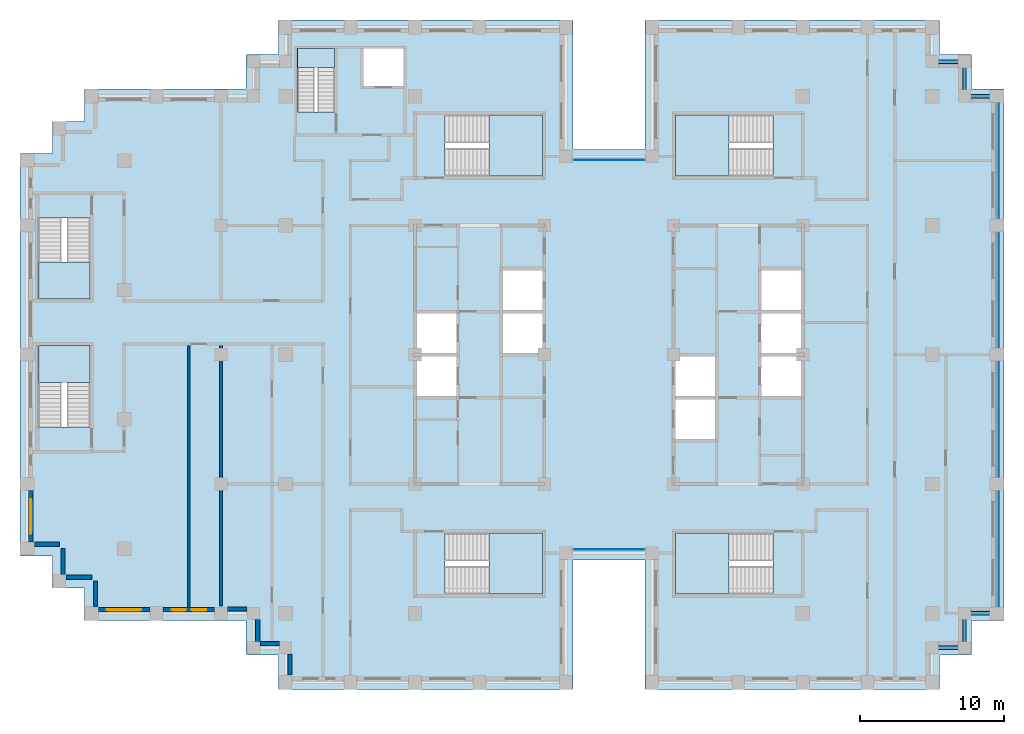
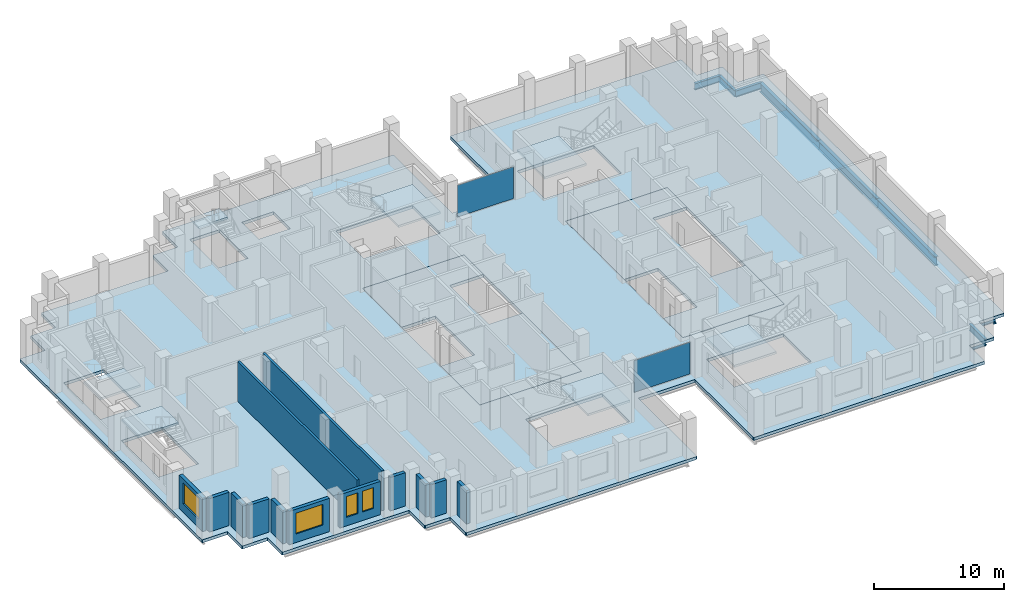
# One storey, part 5 of 15: 13 walls, 10 beams, 10 slabs, 4 windows, 2 plates, 4 openings, 9 elements without a shape of their own.
"""IFC4 building model written with IfcOpenShell, lengths in metres."""

import ifcopenshell
import ifcopenshell.guid

model = None  # the IFC model being written
_history = None  # IfcOwnerHistory: only IFC2X3 demands one
_inside = {}  # id of a spatial element -> (the spatial element, [elements in it])
_under = {}  # id of a project, library or spatial element -> (it, [spatial elements below it])
_declared = {}  # id of a project -> (the project, [libraries it declares])
_typed = {}  # id of a type object -> (the type object, [elements of that type])
_made_of = {}  # id of a material, layer set ... -> (it, [elements and type objects made of it])


def new_model(schema):
    """Start an empty IFC model of exactly this schema.

    Asked for "IFC4X3", IfcOpenShell would pick the latest addendum, in which some entities
    have other attributes; the version numbers below select the first issue.
    IFC2X3 requires an IfcOwnerHistory on every rooted entity: one is made here for all.
    """
    global model, _history
    if schema == "IFC4X3":
        model = ifcopenshell.file(schema_version=(4, 3, 0, 0))
    else:
        model = ifcopenshell.file(schema=schema)
    _inside.clear()
    _under.clear()
    _declared.clear()
    _typed.clear()
    _made_of.clear()
    _history = None
    if model.schema == "IFC2X3":
        org = make("IfcOrganization", Name="unknown")
        user = make(
            "IfcPersonAndOrganization",
            ThePerson=make("IfcPerson", FamilyName="unknown"),
            TheOrganization=org,
        )
        app = make(
            "IfcApplication",
            ApplicationDeveloper=org,
            Version="unknown",
            ApplicationFullName="unknown",
            ApplicationIdentifier="unknown",
        )
        _history = make(
            "IfcOwnerHistory",
            OwningUser=user,
            OwningApplication=app,
            ChangeAction="ADDED",
            CreationDate=0,
        )
    return model


def make(cls, **values):
    """One entity of the class cls with the attributes given. An attribute that is None is left unset."""
    return model.create_entity(
        cls, **{name: value for name, value in values.items() if value is not None}
    )


def rooted(cls, **values):
    """An entity with a GlobalId (a new one), such as an element, a storey or a relation."""
    return make(cls, GlobalId=ifcopenshell.guid.new(), OwnerHistory=_history, **values)


def si_unit(unit_type, name, prefix=None):
    """IfcSIUnit, for example si_unit("LENGTHUNIT", "METRE", prefix="MILLI")."""
    return make("IfcSIUnit", UnitType=unit_type, Prefix=prefix, Name=name)


def assignment(units):
    """IfcUnitAssignment: the units of a project."""
    return None if units is None else make("IfcUnitAssignment", Units=units)


def point(xyz):
    """IfcCartesianPoint."""
    return None if xyz is None else make("IfcCartesianPoint", Coordinates=xyz)


def direction(xyz):
    """IfcDirection."""
    return None if xyz is None else make("IfcDirection", DirectionRatios=xyz)


def frame(location, z_axis=None, x_axis=None):
    """IfcAxis2Placement3D, a coordinate frame: its origin and axes. An axis left out is left unset."""
    return make(
        "IfcAxis2Placement3D",
        Location=point(location),
        Axis=direction(z_axis),
        RefDirection=direction(x_axis),
    )


def frame_2d(location, x_axis=None):
    """IfcAxis2Placement2D, a coordinate frame in the plane: its origin and x axis."""
    return make(
        "IfcAxis2Placement2D", Location=point(location), RefDirection=direction(x_axis)
    )


def origin():
    """The frame at (0, 0, 0) with its axes left unset."""
    return frame((0.0, 0.0, 0.0))


def origin_2d():
    """The frame at (0, 0) in the plane with its x axis left unset."""
    return frame_2d((0.0, 0.0))


def place(relative_to, where):
    """IfcLocalPlacement: puts the frame where relative to a parent placement (None: the world)."""
    return make(
        "IfcLocalPlacement", PlacementRelTo=relative_to, RelativePlacement=where
    )


def context(
    kind, dimensions, precision=None, world=None, true_north=None, identifier=None
):
    """IfcGeometricRepresentationContext, for example the 3D "Model" context."""
    return make(
        "IfcGeometricRepresentationContext",
        ContextIdentifier=identifier,
        ContextType=kind,
        CoordinateSpaceDimension=dimensions,
        Precision=precision,
        WorldCoordinateSystem=world,
        TrueNorth=true_north,
    )


def subcontext(parent, identifier, kind, view, scale=None):
    """IfcGeometricRepresentationSubContext, for example "Body" below "Model"."""
    return make(
        "IfcGeometricRepresentationSubContext",
        ContextIdentifier=identifier,
        ContextType=kind,
        ParentContext=parent,
        TargetScale=scale,
        TargetView=view,
    )


def project(units=None, contexts=None):
    """IfcProject with its units and contexts."""
    return rooted(
        "IfcProject",
        Name="project",
        RepresentationContexts=contexts,
        UnitsInContext=assignment(units),
    )


def spatial(cls, under=None, at=None, **own):
    """A site, building, storey or space (cls), placed at a placement, below another one or the project."""
    s = rooted(cls, ObjectPlacement=at, **own)
    if under is not None:
        _under.setdefault(under.id(), (under, []))[1].append(s)
    return s


def polyline(points):
    """IfcPolyline through the points."""
    return make("IfcPolyline", Points=[point(p) for p in points])


def profile(cls, at=None, kind="AREA", **sizes):
    """A parametric profile (cls). Its sizes go by their IFC names, for example OverallWidth=200.0."""
    return make(cls, ProfileType=kind, Position=at, **sizes)


def rectangle(**sizes):
    """IfcRectangleProfileDef."""
    return profile("IfcRectangleProfileDef", **sizes)


def i_section(**sizes):
    """IfcIShapeProfileDef."""
    return profile("IfcIShapeProfileDef", **sizes)


def outline(outer, holes=None, kind="AREA"):
    """IfcArbitraryClosedProfileDef: a profile drawn as a closed curve; with holes, ...WithVoids."""
    if holes is None:
        return make("IfcArbitraryClosedProfileDef", ProfileType=kind, OuterCurve=outer)
    return make(
        "IfcArbitraryProfileDefWithVoids",
        ProfileType=kind,
        OuterCurve=outer,
        InnerCurves=holes,
    )


def extrude(swept, where, along, depth):
    """IfcExtrudedAreaSolid: the profile swept, set in the frame where, extruded along a direction by depth."""
    return make(
        "IfcExtrudedAreaSolid",
        SweptArea=swept,
        Position=where,
        ExtrudedDirection=direction(along),
        Depth=depth,
    )


def shape(context_of_items, identifier, shape_type, items):
    """IfcShapeRepresentation: the items that make up one representation, for example the "Body"."""
    return make(
        "IfcShapeRepresentation",
        ContextOfItems=context_of_items,
        RepresentationIdentifier=identifier,
        RepresentationType=shape_type,
        Items=items,
    )


def material(Name=None, Category=None):
    """IfcMaterial."""
    return make("IfcMaterial", Name=Name, Category=Category)


def layer(
    of_material, thickness, ventilated=None, Name=None, Category=None, Priority=None
):
    """IfcMaterialLayer: one layer of a wall or slab, of a material (None: an air gap)."""
    return make(
        "IfcMaterialLayer",
        Material=of_material,
        LayerThickness=thickness,
        IsVentilated=ventilated,
        Name=Name,
        Category=Category,
        Priority=Priority,
    )


def layer_set(layers, Name=None):
    """IfcMaterialLayerSet."""
    return make("IfcMaterialLayerSet", MaterialLayers=layers, LayerSetName=Name)


def material_profile(
    of_material, cross_section, Name=None, Category=None, Priority=None
):
    """IfcMaterialProfile: a cross section and its material."""
    return make(
        "IfcMaterialProfile",
        Name=Name,
        Material=of_material,
        Profile=cross_section,
        Priority=Priority,
        Category=Category,
    )


def profile_set(profiles, Name=None, composite=None):
    """IfcMaterialProfileSet."""
    return make(
        "IfcMaterialProfileSet",
        Name=Name,
        MaterialProfiles=profiles,
        CompositeProfile=composite,
    )


def made_of(thing, what):
    """Note that an element or type object is made of a material, layer set ...; save() writes the relation."""
    if what is not None:
        _made_of.setdefault(what.id(), (what, []))[1].append(thing)
    return thing


def type_object(cls, material=None, **own):
    """A type object (cls), such as IfcWallType, which elements share."""
    return made_of(rooted(cls, **own), material)


def element(
    cls,
    number,
    at=None,
    inside=None,
    cuts=None,
    type_object=None,
    material=None,
    context=None,
    identifier="Body",
    shape_type=None,
    held_by="IfcProductDefinitionShape",
    body=None,
    shapes=None,
    **own,
):
    """One element of the class cls, such as IfcWall. Its Tag is "e" and its number.

    at: its placement. inside: the storey or other place that contains it. cuts: it is an
    opening in that element (IfcRelVoidsElement). A single representation is given by context,
    identifier, shape_type and body (its items); several are given by shapes. held_by: the class
    of the entity that holds the representations. save() writes the other relations.
    """
    e = rooted(cls, Tag="e%d" % number, ObjectPlacement=at, **own)
    if body is not None:
        shapes = [shape(context, identifier, shape_type, body)]
    if shapes is not None:
        e.Representation = make(held_by, Representations=shapes)
    if inside is not None:
        _inside.setdefault(inside.id(), (inside, []))[1].append(e)
    if cuts is not None:
        rooted(
            "IfcRelVoidsElement", RelatingBuildingElement=cuts, RelatedOpeningElement=e
        )
    if type_object is not None:
        _typed.setdefault(type_object.id(), (type_object, []))[1].append(e)
    return made_of(e, material)


def fill(opening, filler):
    """IfcRelFillsElement: the door or window that sits in an opening."""
    return rooted(
        "IfcRelFillsElement",
        RelatingOpeningElement=opening,
        RelatedBuildingElement=filler,
    )


def aggregate(whole, parts):
    """IfcRelAggregates: a whole, such as a stair, and the parts it consists of."""
    return rooted("IfcRelAggregates", RelatingObject=whole, RelatedObjects=parts)


def save(model, path):
    """Write the relations noted so far, then the file.

    IfcRelAggregates (storeys below a building ...), IfcRelContainedInSpatialStructure (elements
    in a storey), IfcRelDefinesByType, IfcRelAssociatesMaterial and IfcRelDeclares: one each for
    every whole, place, type object, material and project.
    """
    for whole, parts in _under.values():
        aggregate(whole, parts)
    for where, things in _inside.values():
        rooted(
            "IfcRelContainedInSpatialStructure",
            RelatedElements=things,
            RelatingStructure=where,
        )
    for kind, things in _typed.values():
        rooted("IfcRelDefinesByType", RelatedObjects=things, RelatingType=kind)
    for what, things in _made_of.values():
        rooted("IfcRelAssociatesMaterial", RelatedObjects=things, RelatingMaterial=what)
    for by, libraries in _declared.values():
        rooted("IfcRelDeclares", RelatingContext=by, RelatedDefinitions=libraries)
    model.write(path)


model = new_model("IFC4")

# Units and contexts
model_context = context("Model", 3, precision=1e-05, world=origin(), true_north=direction((0.0, 1.0)))
body_context = subcontext(model_context, "Body", "Model", "MODEL_VIEW")
ifc_project = project(units=[si_unit("LENGTHUNIT", "METRE"), si_unit("AREAUNIT", "SQUARE_METRE"), si_unit("VOLUMEUNIT", "CUBIC_METRE"), si_unit("PLANEANGLEUNIT", "RADIAN"), si_unit("MASSUNIT", "GRAM", prefix="KILO")], contexts=[model_context])

# Site, building, storey
site_placement = place(None, origin())
site = spatial("IfcSite", under=ifc_project, at=site_placement, CompositionType="ELEMENT")
building_placement = place(site_placement, origin())
building = spatial("IfcBuilding", under=site, at=building_placement, Name="Corbelhall Arena Tower", CompositionType="ELEMENT")
storey_placement = place(building_placement, frame((0.0, 0.0, 220.0)))
storey = spatial("IfcBuildingStorey", under=building, at=storey_placement, Name="L46", CompositionType="ELEMENT", Elevation=220.0)

# Beams
ifc_material_1 = material(Name="Steel ASTM A992 Gr50", Category="steel")
ifc_material_profile_1 = material_profile(ifc_material_1, i_section(OverallWidth=0.228271484375, OverallDepth=0.607177734375, WebThickness=0.01123046875, FlangeThickness=0.017333984375, at=origin_2d()))
ifc_profile_set_1 = profile_set([ifc_material_profile_1], Name="Steel ASTM A992 Gr50")
beam_type_1 = type_object("IfcBeamType", Name="ST-SPANDREL-W24x76", PredefinedType="SPANDREL", material=ifc_profile_set_1)
for number, where, z_axis, x_axis, name in (
    (1, (27.0, -18.0, -0.58349609375), (-1.0, 0.0, 0.0), (0.0, -1.0, 0.0), "Beam SP 12"),
    (2, (22.5, 20.39990234375, -0.58349609375), (1.0, 0.0, 0.0), (0.0, 1.0, 0.0), "Beam SP 39"),
):
    element("IfcBeam", number, at=place(storey_placement, frame(where, z_axis=z_axis, x_axis=x_axis)), inside=storey, type_object=beam_type_1, Name=name, PredefinedType="SPANDREL", context=body_context, shape_type="SweptSolid", body=[
        extrude(i_section(OverallWidth=0.228271484375, OverallDepth=0.607177734375, WebThickness=0.01123046875, FlangeThickness=0.017333984375, at=origin_2d()), origin(), (0.0, 0.0, 1.0), 2.25),
    ])
beam_1_placement = place(storey_placement, frame((24.75, 20.39990234375, -0.58349609375), z_axis=(0.0, -1.0, 0.0), x_axis=(1.0, 0.0, 0.0)))
element("IfcBeam", 3, at=beam_1_placement, inside=storey, type_object=beam_type_1, Name="Beam SP 40", PredefinedType="SPANDREL", context=body_context, shape_type="SweptSolid", body=[
    extrude(i_section(OverallWidth=0.228271484375, OverallDepth=0.607177734375, WebThickness=0.01123046875, FlangeThickness=0.017333984375, at=origin_2d()), origin(), (0.0, 0.0, 1.0), 2.39990234375),
])
for number, where, z_axis, x_axis, name in (
    (4, (24.75, 18.0, -0.58349609375), (1.0, 0.0, 0.0), (0.0, 1.0, 0.0), "Beam SP 41"),
    (5, (24.75, -20.39990234375, -0.58349609375), (-1.0, 0.0, 0.0), (0.0, -1.0, 0.0), "Beam SP 46"),
):
    element("IfcBeam", number, at=place(storey_placement, frame(where, z_axis=z_axis, x_axis=x_axis)), inside=storey, type_object=beam_type_1, Name=name, PredefinedType="SPANDREL", context=body_context, shape_type="SweptSolid", body=[
        extrude(i_section(OverallWidth=0.228271484375, OverallDepth=0.607177734375, WebThickness=0.01123046875, FlangeThickness=0.017333984375, at=origin_2d()), origin(), (0.0, 0.0, 1.0), 2.25),
    ])
beam_2_placement = place(storey_placement, frame((24.75, -18.0, -0.58349609375), z_axis=(0.0, -1.0, 0.0), x_axis=(1.0, 0.0, 0.0)))
element("IfcBeam", 6, at=beam_2_placement, inside=storey, type_object=beam_type_1, Name="Beam SP 47", PredefinedType="SPANDREL", context=body_context, shape_type="SweptSolid", body=[
    extrude(i_section(OverallWidth=0.228271484375, OverallDepth=0.607177734375, WebThickness=0.01123046875, FlangeThickness=0.017333984375, at=origin_2d()), origin(), (0.0, 0.0, 1.0), 2.39990234375),
])
ifc_material_profile_2 = material_profile(ifc_material_1, i_section(OverallWidth=0.2919921875, OverallDepth=0.845703125, WebThickness=0.015380859375, FlangeThickness=0.0244140625, at=origin_2d()))
ifc_profile_set_2 = profile_set([ifc_material_profile_2], Name="Steel ASTM A992 Gr50")
beam_type_2 = type_object("IfcBeamType", Name="ST-SPANDREL-W33x141", PredefinedType="SPANDREL", material=ifc_profile_set_2)
for number, where, z_axis, x_axis, name in (
    (7, (27.0, 0.0, -0.702880859375), (0.0, -1.0, 0.0), (1.0, 0.0, 0.0), "Beam SP 8"),
    (8, (27.0, 9.0, -0.702880859375), (0.0, -1.0, 0.0), (1.0, 0.0, 0.0), "Beam SP 9"),
    (9, (27.0, 18.0, -0.702880859375), (0.0, -1.0, 0.0), (1.0, 0.0, 0.0), "Beam SP 10"),
    (10, (27.0, -9.0, -0.702880859375), (0.0, -1.0, 0.0), (1.0, 0.0, 0.0), "Beam SP 11"),
):
    element("IfcBeam", number, at=place(storey_placement, frame(where, z_axis=z_axis, x_axis=x_axis)), inside=storey, type_object=beam_type_2, Name=name, PredefinedType="SPANDREL", context=body_context, shape_type="SweptSolid", body=[
        extrude(i_section(OverallWidth=0.2919921875, OverallDepth=0.845703125, WebThickness=0.015380859375, FlangeThickness=0.0244140625, at=origin_2d()), origin(), (0.0, 0.0, 1.0), 9.0),
    ])

# Curtain wall, plate
ifc_material_2 = material(Name="Aluminium black anodised", Category="aluminium")
ifc_layer_1 = layer(ifc_material_2, 0.199951171875)
ifc_layer_set_1 = layer_set([ifc_layer_1], Name="EV-CW1 Slot back wall")
curtain_wall_type = type_object("IfcCurtainWallType", Name="EV-CW1 Slot back wall", PredefinedType="NOTDEFINED", material=ifc_layer_set_1)
curtain_wall_1_placement = place(storey_placement, origin())
curtain_wall_1 = element("IfcCurtainWall", 11, at=curtain_wall_1_placement, inside=storey, type_object=curtain_wall_type, Name="Curtain wall CW1", PredefinedType="NOTDEFINED")
ifc_material_3 = material(Name="Glass dark tinted laminated", Category="glass")
ifc_layer_2 = layer(ifc_material_3, 0.028076171875)
ifc_layer_set_2 = layer_set([ifc_layer_2], Name="EV-CW1-PANEL")
plate_type = type_object("IfcPlateType", Name="EV-CW1-PANEL", PredefinedType="CURTAIN_PANEL", material=ifc_layer_set_2)
plate_1_placement = place(storey_placement, frame((0.0, -13.550048828125, 0.0751953125), z_axis=(0.0, 0.0, 1.0), x_axis=(1.0, 0.0, 0.0)))
plate_1 = element("IfcPlate", 12, at=plate_1_placement, type_object=plate_type, Name="CW1 panel 1.1", PredefinedType="CURTAIN_PANEL", context=body_context, shape_type="SweptSolid", body=[
    extrude(rectangle(XDim=4.949951171875, YDim=0.028076171875, at=origin_2d()), origin(), (0.0, 0.0, 1.0), 2.969970703125),
])
aggregate(curtain_wall_1, [plate_1])

curtain_wall_2_placement = place(storey_placement, origin())
curtain_wall_2 = element("IfcCurtainWall", 13, at=curtain_wall_2_placement, inside=storey, type_object=curtain_wall_type, Name="Curtain wall CW1", PredefinedType="NOTDEFINED")
plate_2_placement = place(storey_placement, frame((0.0, 13.550048828125, 0.0751953125), z_axis=(0.0, 0.0, 1.0), x_axis=(-1.0, 0.0, 0.0)))
plate_2 = element("IfcPlate", 14, at=plate_2_placement, type_object=plate_type, Name="CW1 panel 1.1", PredefinedType="CURTAIN_PANEL", context=body_context, shape_type="SweptSolid", body=[
    extrude(rectangle(XDim=4.949951171875, YDim=0.028076171875, at=origin_2d()), origin(), (0.0, 0.0, 1.0), 2.969970703125),
])
aggregate(curtain_wall_2, [plate_2])

# Slabs
ifc_material_4 = material(Name="Concrete C40/50", Category="concrete")
ifc_layer_3 = layer(ifc_material_4, 0.300048828125)
ifc_layer_set_3 = layer_set([ifc_layer_3], Name="IN-SL-CORE")
slab_type_1 = type_object("IfcSlabType", Name="IN-SL-CORE", PredefinedType="FLOOR", material=ifc_layer_set_3)
slab_1_placement = place(storey_placement, frame((0.0, 0.0, -0.280029296875)))
element("IfcSlab", 15, at=slab_1_placement, inside=storey, type_object=slab_type_1, Name="Core floor W", PredefinedType="FLOOR", context=body_context, shape_type="SweptSolid", body=[
    extrude(outline(polyline([(-10.5, -3.0), (-13.5, -3.0), (-13.5, -9.0), (-4.5, -9.0), (-4.5, 0.0), (-7.5, 0.0), (-7.5, 3.0), (-7.5, 6.0), (-4.5, 6.0), (-4.5, 9.0), (-13.5, 9.0), (-13.5, 3.0), (-10.5, 3.0), (-10.5, 0.0), (-10.5, -3.0)])), origin(), (0.0, 0.0, 1.0), 0.280029296875),
])
slab_2_placement = place(storey_placement, frame((0.0, 0.0, -0.280029296875)))
element("IfcSlab", 16, at=slab_2_placement, inside=storey, type_object=slab_type_1, Name="Core floor E", PredefinedType="FLOOR", context=body_context, shape_type="SweptSolid", body=[
    extrude(outline(polyline([(13.5, -3.0), (10.5, -3.0), (10.5, 0.0), (10.5, 3.0), (10.5, 6.0), (13.5, 6.0), (13.5, 9.0), (4.5, 9.0), (4.5, 0.0), (7.5, 0.0), (7.5, -3.0), (7.5, -6.0), (4.5, -6.0), (4.5, -9.0), (13.5, -9.0), (13.5, -3.0)])), origin(), (0.0, 0.0, 1.0), 0.280029296875),
])

# Stair, slab
stair_type = type_object("IfcStairType", Name="IN-ST-TOWER", PredefinedType="HALF_TURN_STAIR", material=ifc_material_4)
stair_1_placement = place(storey_placement, origin())
stair_1 = element("IfcStair", 17, at=stair_1_placement, inside=storey, type_object=stair_type, Name="L46 Exit stair ST1", PredefinedType="HALF_TURN_STAIR")
ifc_layer_4 = layer(ifc_material_4, 0.199951171875)
ifc_layer_set_4 = layer_set([ifc_layer_4], Name="IN-SL-LANDING")
slab_type_2 = type_object("IfcSlabType", Name="IN-SL-LANDING", PredefinedType="LANDING", material=ifc_layer_set_4)
slab_3_placement = place(storey_placement, frame((0.0, 0.0, 1.800048828125)))
slab_3 = element("IfcSlab", 18, at=slab_3_placement, type_object=slab_type_2, Name="ST1 landing 1", PredefinedType="LANDING", context=body_context, shape_type="SweptSolid", body=[
    extrude(outline(polyline([(-8.344970703125, 12.425048828125), (-4.625, 12.425048828125), (-4.625, 16.675048828125), (-8.344970703125, 16.675048828125), (-8.344970703125, 12.425048828125)])), origin(), (0.0, 0.0, 1.0), 0.199951171875),
])
aggregate(stair_1, [slab_3])

stair_2_placement = place(storey_placement, origin())
stair_2 = element("IfcStair", 19, at=stair_2_placement, inside=storey, type_object=stair_type, Name="L46 Exit stair ST2", PredefinedType="HALF_TURN_STAIR")
slab_4_placement = place(storey_placement, frame((0.0, 0.0, 1.800048828125)))
slab_4 = element("IfcSlab", 20, at=slab_4_placement, type_object=slab_type_2, Name="ST2 landing 1", PredefinedType="LANDING", context=body_context, shape_type="SweptSolid", body=[
    extrude(outline(polyline([(-8.344970703125, -16.675048828125), (-4.625, -16.675048828125), (-4.625, -12.425048828125), (-8.344970703125, -12.425048828125), (-8.344970703125, -16.675048828125)])), origin(), (0.0, 0.0, 1.0), 0.199951171875),
])
aggregate(stair_2, [slab_4])

stair_3_placement = place(storey_placement, origin())
stair_3 = element("IfcStair", 21, at=stair_3_placement, inside=storey, type_object=stair_type, Name="L46 Exit stair ST3", PredefinedType="HALF_TURN_STAIR")
slab_5_placement = place(storey_placement, frame((0.0, 0.0, 1.800048828125)))
slab_5 = element("IfcSlab", 22, at=slab_5_placement, type_object=slab_type_2, Name="ST3 landing 1", PredefinedType="LANDING", context=body_context, shape_type="SweptSolid", body=[
    extrude(outline(polyline([(8.344970703125, 16.675048828125), (4.625, 16.675048828125), (4.625, 12.425048828125), (8.344970703125, 12.425048828125), (8.344970703125, 16.675048828125)])), origin(), (0.0, 0.0, 1.0), 0.199951171875),
])
aggregate(stair_3, [slab_5])

stair_4_placement = place(storey_placement, origin())
stair_4 = element("IfcStair", 23, at=stair_4_placement, inside=storey, type_object=stair_type, Name="L46 Exit stair ST4", PredefinedType="HALF_TURN_STAIR")
slab_6_placement = place(storey_placement, frame((0.0, 0.0, 1.800048828125)))
slab_6 = element("IfcSlab", 24, at=slab_6_placement, type_object=slab_type_2, Name="ST4 landing 1", PredefinedType="LANDING", context=body_context, shape_type="SweptSolid", body=[
    extrude(outline(polyline([(8.344970703125, -12.425048828125), (4.625, -12.425048828125), (4.625, -16.675048828125), (8.344970703125, -16.675048828125), (8.344970703125, -12.425048828125)])), origin(), (0.0, 0.0, 1.0), 0.199951171875),
])
aggregate(stair_4, [slab_6])

stair_5_placement = place(storey_placement, origin())
stair_5 = element("IfcStair", 25, at=stair_5_placement, inside=storey, type_object=stair_type, Name="L46 Exit stair SC1", PredefinedType="HALF_TURN_STAIR")
slab_7_placement = place(storey_placement, frame((0.0, 0.0, 1.800048828125)))
slab_7 = element("IfcSlab", 26, at=slab_7_placement, type_object=slab_type_2, Name="SC1 landing 1", PredefinedType="LANDING", context=body_context, shape_type="SweptSolid", body=[
    extrude(outline(polyline([(-39.699951171875, 6.445068359375), (-39.699951171875, 3.875), (-36.125, 3.875), (-36.125, 6.445068359375), (-39.699951171875, 6.445068359375)])), origin(), (0.0, 0.0, 1.0), 0.199951171875),
])
aggregate(stair_5, [slab_7])

stair_6_placement = place(storey_placement, origin())
stair_6 = element("IfcStair", 27, at=stair_6_placement, inside=storey, type_object=stair_type, Name="L46 Exit stair SC2", PredefinedType="HALF_TURN_STAIR")
slab_8_placement = place(storey_placement, frame((0.0, 0.0, 1.800048828125)))
slab_8 = element("IfcSlab", 28, at=slab_8_placement, type_object=slab_type_2, Name="SC2 landing 1", PredefinedType="LANDING", context=body_context, shape_type="SweptSolid", body=[
    extrude(outline(polyline([(-36.125, -1.945068359375), (-36.125, 0.625), (-39.699951171875, 0.625), (-39.699951171875, -1.945068359375), (-36.125, -1.945068359375)])), origin(), (0.0, 0.0, 1.0), 0.199951171875),
])
aggregate(stair_6, [slab_8])

stair_7_placement = place(storey_placement, origin())
stair_7 = element("IfcStair", 29, at=stair_7_placement, inside=storey, type_object=stair_type, Name="L46 Exit stair ST5", PredefinedType="HALF_TURN_STAIR")
slab_9_placement = place(storey_placement, frame((0.0, 0.0, 1.800048828125)))
slab_9 = element("IfcSlab", 30, at=slab_9_placement, type_object=slab_type_2, Name="ST5 landing 1", PredefinedType="LANDING", context=body_context, shape_type="SweptSolid", body=[
    extrude(outline(polyline([(-19.094970703125, 19.97998046875), (-19.094970703125, 21.300048828125), (-21.695068359375, 21.300048828125), (-21.695068359375, 19.97998046875), (-19.094970703125, 19.97998046875)])), origin(), (0.0, 0.0, 1.0), 0.199951171875),
])
aggregate(stair_7, [slab_9])

# Slab
ifc_layer_5 = layer(ifc_material_4, 0.280029296875)
ifc_layer_set_5 = layer_set([ifc_layer_5], Name="ST-SLAB-FLOOR-280")
slab_type_3 = type_object("IfcSlabType", Name="ST-SLAB-FLOOR-280", PredefinedType="FLOOR", material=ifc_layer_set_5)
slab_10_placement = place(storey_placement, frame((0.0, 0.0, -0.280029296875)))
element("IfcSlab", 31, at=slab_10_placement, inside=storey, type_object=slab_type_3, Name="Floor slab L46 1", PredefinedType="FLOOR", context=body_context, shape_type="SweptSolid", body=[
    extrude(outline(polyline([(23.0, 23.25), (22.949951171875, 23.300048828125), (2.550048828125, 23.300048828125), (2.5, 23.25), (2.5, 14.300048828125), (-2.5, 14.300048828125), (-2.5, 23.25), (-2.550048828125, 23.300048828125), (-22.949951171875, 23.300048828125), (-23.0, 23.25), (-23.0, 20.89990234375), (-25.199951171875, 20.89990234375), (-25.25, 20.85009765625), (-25.25, 18.5), (-36.449951171875, 18.5), (-36.5, 18.449951171875), (-36.5, 16.25), (-38.699951171875, 16.25), (-38.75, 16.199951171875), (-38.75, 14.0), (-40.949951171875, 14.0), (-41.0, 13.949951171875), (-41.0, -13.949951171875), (-40.949951171875, -14.0), (-38.75, -14.0), (-38.75, -16.199951171875), (-38.699951171875, -16.25), (-36.5, -16.25), (-36.5, -18.449951171875), (-36.449951171875, -18.5), (-25.25, -18.5), (-25.25, -20.85009765625), (-25.199951171875, -20.89990234375), (-23.0, -20.89990234375), (-23.0, -23.25), (-22.949951171875, -23.300048828125), (-2.550048828125, -23.300048828125), (-2.5, -23.25), (-2.5, -14.300048828125), (2.5, -14.300048828125), (2.5, -23.25), (2.550048828125, -23.300048828125), (22.949951171875, -23.300048828125), (23.0, -23.25), (23.0, -20.89990234375), (25.199951171875, -20.89990234375), (25.25, -20.85009765625), (25.25, -18.5), (27.449951171875, -18.5), (27.5, -18.449951171875), (27.5, 18.449951171875), (27.449951171875, 18.5), (25.25, 18.5), (25.25, 20.85009765625), (25.199951171875, 20.89990234375), (23.0, 20.89990234375), (23.0, 23.25)]), holes=[polyline([(-4.5, -9.0), (-4.5, 9.0), (-13.5, 9.0), (-13.5, -9.0), (-4.5, -9.0)]), polyline([(13.5, -9.0), (13.5, 9.0), (4.5, 9.0), (4.5, -9.0), (13.5, -9.0)]), polyline([(-11.422119140625, 12.425048828125), (-4.625, 12.425048828125), (-4.625, 16.675048828125), (-11.422119140625, 16.675048828125), (-11.422119140625, 12.425048828125)]), polyline([(-11.422119140625, -12.425048828125), (-11.422119140625, -16.675048828125), (-4.625, -16.675048828125), (-4.625, -12.425048828125), (-11.422119140625, -12.425048828125)]), polyline([(4.625, 12.425048828125), (11.422119140625, 12.425048828125), (11.422119140625, 16.675048828125), (4.625, 16.675048828125), (4.625, 12.425048828125)]), polyline([(4.625, -12.425048828125), (4.625, -16.675048828125), (11.422119140625, -16.675048828125), (11.422119140625, -12.425048828125), (4.625, -12.425048828125)]), polyline([(-39.699951171875, 9.52197265625), (-39.699951171875, 3.875), (-36.125, 3.875), (-36.125, 9.52197265625), (-39.699951171875, 9.52197265625)]), polyline([(-39.699951171875, -5.02197265625), (-36.125, -5.02197265625), (-36.125, 0.625), (-39.699951171875, 0.625), (-39.699951171875, -5.02197265625)]), polyline([(-21.695068359375, 21.300048828125), (-21.695068359375, 16.903076171875), (-19.094970703125, 16.903076171875), (-19.094970703125, 21.300048828125), (-21.695068359375, 21.300048828125)]), polyline([(-14.300048828125, 21.300048828125), (-17.10009765625, 21.300048828125), (-17.10009765625, 18.699951171875), (-14.300048828125, 18.699951171875), (-14.300048828125, 21.300048828125)])]), origin(), (0.0, 0.0, 1.0), 0.280029296875),
])

# Walls
ifc_material_5 = material(Name="Precast concrete C40/50 with granite facing", Category="masonry")
ifc_layer_6 = layer(ifc_material_5, 0.300048828125)
ifc_layer_set_6 = layer_set([ifc_layer_6], Name="EV-IW1 Infill panel 300")
wall_type_1 = type_object("IfcWallType", Name="EV-IW1 Infill panel 300", PredefinedType="SOLIDWALL", material=ifc_layer_set_6)
wall_1_placement = place(storey_placement, frame((-40.0, -13.199951171875, 0.0), z_axis=(0.0, 0.0, 1.0), x_axis=(1.0, 0.0, 0.0)))
element("IfcWall", 32, at=wall_1_placement, inside=storey, type_object=wall_type_1, Name="Infill panel IW1", PredefinedType="SOLIDWALL", context=body_context, shape_type="SweptSolid", body=[
    extrude(rectangle(XDim=1.75, YDim=0.300048828125, at=frame_2d((0.875, 0.0))), origin(), (0.0, 0.0, 1.0), 3.1201171875),
])
for number, where, z_axis, x_axis, name in (
    (33, (-38.0, -15.300048828125, 0.0), (0.0, 0.0, 1.0), (0.0, 1.0, 0.0), "Infill panel IW1"),
    (34, (-37.800048828125, -15.5, 0.0), (0.0, 0.0, 1.0), (1.0, 0.0, 0.0), "Infill panel IW1"),
    (35, (-35.75, -17.550048828125, 0.0), (0.0, 0.0, 1.0), (0.0, 1.0, 0.0), "Infill panel IW1"),
):
    element("IfcWall", number, at=place(storey_placement, frame(where, z_axis=z_axis, x_axis=x_axis)), inside=storey, type_object=wall_type_1, Name=name, PredefinedType="SOLIDWALL", context=body_context, shape_type="SweptSolid", body=[
        extrude(rectangle(XDim=1.800048828125, YDim=0.300048828125, at=frame_2d((0.89990234375, 0.0))), origin(), (0.0, 0.0, 1.0), 3.1201171875),
    ])

# Wall, opening, window
wall_2_placement = place(storey_placement, frame((-40.25, -9.449951171875, 0.0), z_axis=(0.0, 0.0, 1.0), x_axis=(0.0, -1.0, 0.0)))
wall_2 = element("IfcWall", 36, at=wall_2_placement, inside=storey, type_object=wall_type_1, Name="Infill panel IW1", PredefinedType="SOLIDWALL", context=body_context, shape_type="SweptSolid", body=[
    extrude(rectangle(XDim=3.60009765625, YDim=0.300048828125, at=frame_2d((1.800048828125, 0.0))), origin(), (0.0, 0.0, 1.0), 3.1201171875),
])
opening_1_placement = place(wall_2_placement, frame((0.60009765625, 0.0, 0.800048828125)))
opening_1 = element("IfcOpeningElement", 37, at=opening_1_placement, cuts=wall_2, Name="Opening WN1", PredefinedType="OPENING", context=body_context, shape_type="SweptSolid", body=[
    extrude(rectangle(XDim=2.39990234375, YDim=1.949951171875, at=frame_2d((1.199951171875, 0.97509765625))), frame((0.0, 0.14990234375, 0.0), z_axis=(0.0, -1.0, 0.0), x_axis=(1.0, 0.0, 0.0)), (0.0, 0.0, 1.0), 0.300048828125),
])
window_type_1 = type_object("IfcWindowType", Name="EV-WN1 Office window", PartitioningType="SINGLE_PANEL", PredefinedType="WINDOW", material=ifc_material_2)
window_1_placement = place(opening_1_placement, origin())
window_1 = element("IfcWindow", 38, at=window_1_placement, inside=storey, type_object=window_type_1, Name="Window WN1", OverallHeight=1.949951171875, OverallWidth=2.39990234375, PartitioningType="SINGLE_PANEL", PredefinedType="WINDOW", context=body_context, shape_type="SweptSolid", body=[
    extrude(rectangle(XDim=2.39990234375, YDim=1.949951171875, at=frame_2d((1.199951171875, 0.97509765625))), frame((0.0, 0.030029296875, 0.0), z_axis=(0.0, -1.0, 0.0), x_axis=(1.0, 0.0, 0.0)), (0.0, 0.0, 1.0), 0.06005859375),
])
fill(opening_1, window_1)

wall_3_placement = place(storey_placement, frame((-35.550048828125, -17.75, 0.0), z_axis=(0.0, 0.0, 1.0), x_axis=(1.0, 0.0, 0.0)))
wall_3 = element("IfcWall", 39, at=wall_3_placement, inside=storey, type_object=wall_type_1, Name="Infill panel IW1", PredefinedType="SOLIDWALL", context=body_context, shape_type="SweptSolid", body=[
    extrude(rectangle(XDim=3.60009765625, YDim=0.300048828125, at=frame_2d((1.800048828125, 0.0))), origin(), (0.0, 0.0, 1.0), 3.1201171875),
])
opening_2_placement = place(wall_3_placement, frame((0.60009765625, 0.0, 0.800048828125)))
opening_2 = element("IfcOpeningElement", 40, at=opening_2_placement, cuts=wall_3, Name="Opening WN1", PredefinedType="OPENING", context=body_context, shape_type="SweptSolid", body=[
    extrude(rectangle(XDim=2.39990234375, YDim=1.949951171875, at=frame_2d((1.199951171875, 0.97509765625))), frame((0.0, 0.14990234375, 0.0), z_axis=(0.0, -1.0, 0.0), x_axis=(1.0, 0.0, 0.0)), (0.0, 0.0, 1.0), 0.300048828125),
])
window_2_placement = place(opening_2_placement, origin())
window_2 = element("IfcWindow", 41, at=window_2_placement, inside=storey, type_object=window_type_1, Name="Window WN1", OverallHeight=1.949951171875, OverallWidth=2.39990234375, PartitioningType="SINGLE_PANEL", PredefinedType="WINDOW", context=body_context, shape_type="SweptSolid", body=[
    extrude(rectangle(XDim=2.39990234375, YDim=1.949951171875, at=frame_2d((1.199951171875, 0.97509765625))), frame((0.0, 0.030029296875, 0.0), z_axis=(0.0, -1.0, 0.0), x_axis=(1.0, 0.0, 0.0)), (0.0, 0.0, 1.0), 0.06005859375),
])
fill(opening_2, window_2)

# Wall, openings, windows
wall_4_placement = place(storey_placement, frame((-31.050048828125, -17.75, 0.0), z_axis=(0.0, 0.0, 1.0), x_axis=(1.0, 0.0, 0.0)))
wall_4 = element("IfcWall", 42, at=wall_4_placement, inside=storey, type_object=wall_type_1, Name="Infill panel IW1", PredefinedType="SOLIDWALL", context=body_context, shape_type="SweptSolid", body=[
    extrude(rectangle(XDim=3.60009765625, YDim=0.300048828125, at=frame_2d((1.800048828125, 0.0))), origin(), (0.0, 0.0, 1.0), 3.1201171875),
])
opening_3_placement = place(wall_4_placement, frame((0.60009765625, 0.0, 0.800048828125)))
opening_3 = element("IfcOpeningElement", 43, at=opening_3_placement, cuts=wall_4, Name="Opening WN6", PredefinedType="OPENING", context=body_context, shape_type="SweptSolid", body=[
    extrude(rectangle(XDim=1.0, YDim=1.949951171875, at=frame_2d((0.5, 0.97509765625))), frame((0.0, 0.14990234375, 0.0), z_axis=(0.0, -1.0, 0.0), x_axis=(1.0, 0.0, 0.0)), (0.0, 0.0, 1.0), 0.300048828125),
])
opening_4_placement = place(wall_4_placement, frame((2.0, 0.0, 0.800048828125)))
opening_4 = element("IfcOpeningElement", 44, at=opening_4_placement, cuts=wall_4, Name="Opening WN6", PredefinedType="OPENING", context=body_context, shape_type="SweptSolid", body=[
    extrude(rectangle(XDim=1.0, YDim=1.949951171875, at=frame_2d((0.5, 0.97509765625))), frame((0.0, 0.14990234375, 0.0), z_axis=(0.0, -1.0, 0.0), x_axis=(1.0, 0.0, 0.0)), (0.0, 0.0, 1.0), 0.300048828125),
])
window_type_2 = type_object("IfcWindowType", Name="EV-WN6 Office window 1000", PartitioningType="SINGLE_PANEL", PredefinedType="WINDOW", material=ifc_material_2)
window_3_placement = place(opening_3_placement, origin())
window_3 = element("IfcWindow", 45, at=window_3_placement, inside=storey, type_object=window_type_2, Name="Window WN6", OverallHeight=1.949951171875, OverallWidth=1.0, PartitioningType="SINGLE_PANEL", PredefinedType="WINDOW", context=body_context, shape_type="SweptSolid", body=[
    extrude(rectangle(XDim=1.0, YDim=1.949951171875, at=frame_2d((0.5, 0.97509765625))), frame((0.0, 0.030029296875, 0.0), z_axis=(0.0, -1.0, 0.0), x_axis=(1.0, 0.0, 0.0)), (0.0, 0.0, 1.0), 0.06005859375),
])
fill(opening_3, window_3)
window_4_placement = place(opening_4_placement, origin())
window_4 = element("IfcWindow", 46, at=window_4_placement, inside=storey, type_object=window_type_2, Name="Window WN6", OverallHeight=1.949951171875, OverallWidth=1.0, PartitioningType="SINGLE_PANEL", PredefinedType="WINDOW", context=body_context, shape_type="SweptSolid", body=[
    extrude(rectangle(XDim=1.0, YDim=1.949951171875, at=frame_2d((0.5, 0.97509765625))), frame((0.0, 0.030029296875, 0.0), z_axis=(0.0, -1.0, 0.0), x_axis=(1.0, 0.0, 0.0)), (0.0, 0.0, 1.0), 0.06005859375),
])
fill(opening_4, window_4)

# Walls
wall_5_placement = place(storey_placement, frame((-26.550048828125, -17.699951171875, 0.0), z_axis=(0.0, 0.0, 1.0), x_axis=(1.0, 0.0, 0.0)))
element("IfcWall", 47, at=wall_5_placement, inside=storey, type_object=wall_type_1, Name="Infill panel IW1", PredefinedType="SOLIDWALL", context=body_context, shape_type="SweptSolid", body=[
    extrude(rectangle(XDim=1.35009765625, YDim=0.300048828125, at=frame_2d((0.675048828125, 0.0))), origin(), (0.0, 0.0, 1.0), 3.1201171875),
])
wall_6_placement = place(storey_placement, frame((-24.449951171875, -18.449951171875, 0.0), z_axis=(0.0, 0.0, 1.0), x_axis=(0.0, -1.0, 0.0)))
element("IfcWall", 48, at=wall_6_placement, inside=storey, type_object=wall_type_1, Name="Infill panel IW1", PredefinedType="SOLIDWALL", context=body_context, shape_type="SweptSolid", body=[
    extrude(rectangle(XDim=1.5, YDim=0.300048828125, at=frame_2d((0.75, 0.0))), origin(), (0.0, 0.0, 1.0), 3.1201171875),
])
wall_7_placement = place(storey_placement, frame((-24.300048828125, -20.10009765625, 0.0), z_axis=(0.0, 0.0, 1.0), x_axis=(1.0, 0.0, 0.0)))
element("IfcWall", 49, at=wall_7_placement, inside=storey, type_object=wall_type_1, Name="Infill panel IW1", PredefinedType="SOLIDWALL", context=body_context, shape_type="SweptSolid", body=[
    extrude(rectangle(XDim=1.35009765625, YDim=0.300048828125, at=frame_2d((0.675048828125, 0.0))), origin(), (0.0, 0.0, 1.0), 3.1201171875),
])
wall_8_placement = place(storey_placement, frame((-22.199951171875, -20.85009765625, 0.0), z_axis=(0.0, 0.0, 1.0), x_axis=(0.0, -1.0, 0.0)))
element("IfcWall", 50, at=wall_8_placement, inside=storey, type_object=wall_type_1, Name="Infill panel IW1", PredefinedType="SOLIDWALL", context=body_context, shape_type="SweptSolid", body=[
    extrude(rectangle(XDim=1.449951171875, YDim=0.300048828125, at=frame_2d((0.72509765625, 0.0))), origin(), (0.0, 0.0, 1.0), 3.1201171875),
])
ifc_material_6 = material(Name="Gypsum board on steel stud, acoustic", Category="steel")
ifc_layer_7 = layer(ifc_material_6, 0.199951171875)
ifc_layer_set_7 = layer_set([ifc_layer_7], Name="IN-W-DM200")
wall_type_2 = type_object("IfcWallType", Name="IN-W-DM200", PredefinedType="PARTITIONING", material=ifc_layer_set_7)
wall_9_placement = place(storey_placement, frame((-29.25, 0.75, 0.0), z_axis=(0.0, 0.0, 1.0), x_axis=(0.0, -1.0, 0.0)))
element("IfcWall", 51, at=wall_9_placement, inside=storey, type_object=wall_type_2, Name="Partition 006", PredefinedType="PARTITIONING", context=body_context, shape_type="SweptSolid", body=[
    extrude(rectangle(XDim=18.35009765625, YDim=0.199951171875, at=frame_2d((9.175048828125, 0.0))), origin(), (0.0, 0.0, 1.0), 3.719970703125),
])
wall_10_placement = place(storey_placement, frame((-27.0, -17.5, 0.0), z_axis=(0.0, 0.0, 1.0), x_axis=(0.0, 1.0, 0.0)))
element("IfcWall", 52, at=wall_10_placement, inside=storey, type_object=wall_type_2, Name="Partition 010", PredefinedType="PARTITIONING", context=body_context, shape_type="SweptSolid", body=[
    extrude(rectangle(XDim=18.25, YDim=0.199951171875, at=frame_2d((9.125, 0.0))), origin(), (0.0, 0.0, 1.0), 3.719970703125),
])

save(model, "model.ifc")
